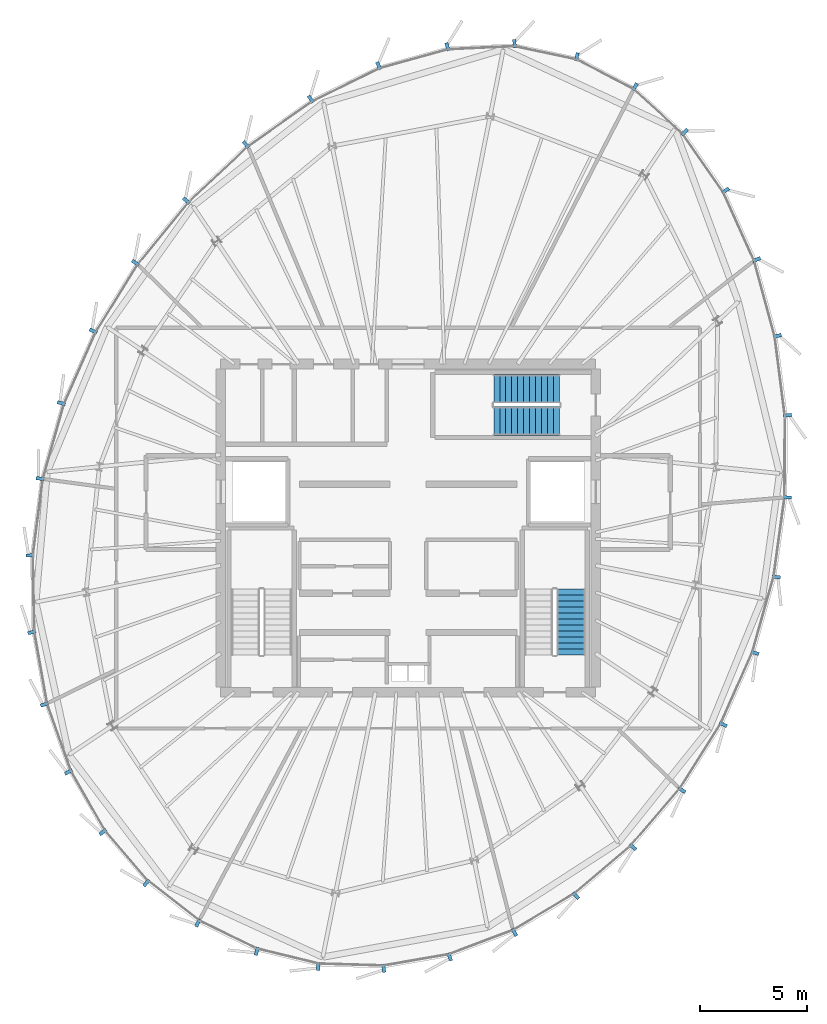
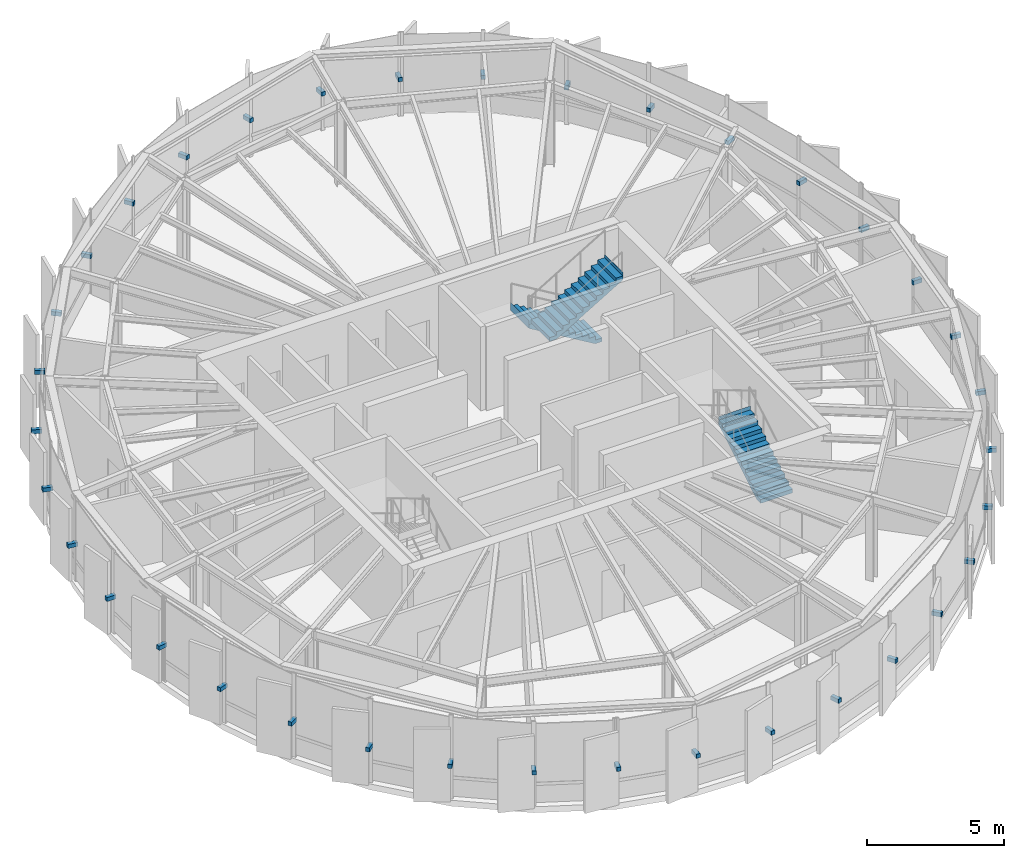
# One storey, part 23 of 26: 36 discrete accessories, 3 stair flights, 2 elements without a shape of their own.
"""IFC4 building model written with IfcOpenShell, lengths in metres."""

from ifc_helpers import new_model, si_unit, direction, frame, origin, origin_2d, place, context, subcontext, project, spatial, polyline, rectangle, outline, extrude, source, transform, mapped, material, type_object, element, aggregate, save


model = new_model("IFC4")

# Units and contexts
model_context = context("Model", 3, precision=1e-05, world=origin(), true_north=direction((0.0, 1.0)))
body_context = subcontext(model_context, "Body", "Model", "MODEL_VIEW")
ifc_project = project(units=[si_unit("LENGTHUNIT", "METRE"), si_unit("AREAUNIT", "SQUARE_METRE"), si_unit("VOLUMEUNIT", "CUBIC_METRE"), si_unit("PLANEANGLEUNIT", "RADIAN"), si_unit("MASSUNIT", "GRAM", prefix="KILO"), si_unit("THERMODYNAMICTEMPERATUREUNIT", "KELVIN")], contexts=[model_context])

# Site, building, storey
site_placement = place(None, origin())
site = spatial("IfcSite", under=ifc_project, at=site_placement, CompositionType="ELEMENT")
building_placement = place(site_placement, origin())
building = spatial("IfcBuilding", under=site, at=building_placement, Name="Kethvar Cultural Tower", CompositionType="ELEMENT")
storey_placement = place(building_placement, frame((0.0, 0.0, 316.300048828125)))
storey = spatial("IfcBuildingStorey", under=building, at=storey_placement, Name="L84", CompositionType="ELEMENT", Elevation=316.300048828125)

# Stair, stair flight
ifc_material_1 = material(Name="Concrete C40/50", Category="concrete")
stair_type = type_object("IfcStairType", Name="ST-DOGLEG-135", PredefinedType="HALF_TURN_STAIR", material=ifc_material_1)
stair_1_placement = place(storey_placement, origin())
stair_1 = element("IfcStair", 1, at=stair_1_placement, inside=storey, type_object=stair_type, Name="L84 Core Exit Stair 2", PredefinedType="HALF_TURN_STAIR")
stair_flight_type = type_object("IfcStairFlightType", Name="FL-STRAIGHT-135", PredefinedType="STRAIGHT", material=ifc_material_1)
stair_flight_1_placement = place(storey_placement, frame((54.43505859375, 21.85009765625, 0.0), z_axis=(0.0, 0.0, 1.0), x_axis=(0.0, 1.0, 0.0)))
stair_flight_1 = element("IfcStairFlight", 2, at=stair_flight_1_placement, type_object=stair_flight_type, Name="ST-02 flight 1", NumberOfRisers=12, NumberOfTreads=11, PredefinedType="STRAIGHT", RiserHeight=0.166666667, TreadLength=0.28, context=body_context, shape_type="SweptSolid", body=[
    extrude(outline(polyline([(-0.0009765625, -0.0009765625), (-0.0009765625, 0.166748046875), (0.280029296875, 0.166748046875), (0.280029296875, 0.333251953125), (0.56005859375, 0.333251953125), (0.56005859375, 0.5), (0.840087890625, 0.5), (0.840087890625, 0.666748046875), (1.1201171875, 0.666748046875), (1.1201171875, 0.833251953125), (1.39990234375, 0.833251953125), (1.39990234375, 1.0), (1.679931640625, 1.0), (1.679931640625, 1.166748046875), (1.9599609375, 1.166748046875), (1.9599609375, 1.333251953125), (2.239990234375, 1.333251953125), (2.239990234375, 1.5), (2.52001953125, 1.5), (2.52001953125, 1.666748046875), (2.800048828125, 1.666748046875), (2.800048828125, 1.833251953125), (3.080078125, 1.833251953125), (3.080078125, 2.0), (3.0810546875, 2.0), (3.0810546875, 1.658935546875), (0.29296875, 0.0), (0.0, -0.0009765625), (-0.0009765625, -0.0009765625)])), frame((0.0, 0.675048828125, 0.0), z_axis=(0.0, -1.0, 0.0), x_axis=(1.0, 0.0, 0.0)), (0.0, 0.0, 1.0), 1.35009765625),
])
aggregate(stair_1, [stair_flight_1])

# Stair, stair flights
stair_2_placement = place(storey_placement, origin())
stair_2 = element("IfcStair", 3, at=stair_2_placement, inside=storey, type_object=stair_type, Name="L84 Core Exit Stair 3", PredefinedType="HALF_TURN_STAIR")
stair_flight_2_placement = place(storey_placement, frame((53.89990234375, 34.3349609375, 0.0), z_axis=(0.0, 0.0, 1.0), x_axis=(-1.0, 0.0, 0.0)))
stair_flight_2 = element("IfcStairFlight", 4, at=stair_flight_2_placement, type_object=stair_flight_type, Name="ST-03 flight 1", NumberOfRisers=12, NumberOfTreads=11, PredefinedType="STRAIGHT", RiserHeight=0.166666667, TreadLength=0.28, context=body_context, shape_type="SweptSolid", body=[
    extrude(outline(polyline([(-0.0009765625, -0.0009765625), (-0.0009765625, 0.166748046875), (0.280029296875, 0.166748046875), (0.280029296875, 0.333251953125), (0.56005859375, 0.333251953125), (0.56005859375, 0.5), (0.840087890625, 0.5), (0.840087890625, 0.666748046875), (1.1201171875, 0.666748046875), (1.1201171875, 0.833251953125), (1.39990234375, 0.833251953125), (1.39990234375, 1.0), (1.679931640625, 1.0), (1.679931640625, 1.166748046875), (1.9599609375, 1.166748046875), (1.9599609375, 1.333251953125), (2.239990234375, 1.333251953125), (2.239990234375, 1.5), (2.52001953125, 1.5), (2.52001953125, 1.666748046875), (2.800048828125, 1.666748046875), (2.800048828125, 1.833251953125), (3.080078125, 1.833251953125), (3.080078125, 2.0), (3.0810546875, 2.0), (3.0810546875, 1.658935546875), (0.29296875, 0.0), (0.0, -0.0009765625), (-0.0009765625, -0.0009765625)])), frame((0.0, 0.675048828125, 0.0), z_axis=(0.0, -1.0, 0.0), x_axis=(1.0, 0.0, 0.0)), (0.0, 0.0, 1.0), 1.35009765625),
])
stair_flight_3_placement = place(storey_placement, frame((50.820068359375, 32.824951171875, 2.0), z_axis=(0.0, 0.0, 1.0), x_axis=(1.0, 0.0, 0.0)))
stair_flight_3 = element("IfcStairFlight", 5, at=stair_flight_3_placement, type_object=stair_flight_type, Name="ST-03 flight 2", NumberOfRisers=12, NumberOfTreads=11, PredefinedType="STRAIGHT", RiserHeight=0.166666667, TreadLength=0.28, context=body_context, shape_type="SweptSolid", body=[
    extrude(outline(polyline([(-0.0009765625, -0.0009765625), (-0.0009765625, 0.166748046875), (0.280029296875, 0.166748046875), (0.280029296875, 0.333251953125), (0.56005859375, 0.333251953125), (0.56005859375, 0.5), (0.840087890625, 0.5), (0.840087890625, 0.666748046875), (1.1201171875, 0.666748046875), (1.1201171875, 0.833251953125), (1.39990234375, 0.833251953125), (1.39990234375, 1.0), (1.679931640625, 1.0), (1.679931640625, 1.166748046875), (1.9599609375, 1.166748046875), (1.9599609375, 1.333251953125), (2.239990234375, 1.333251953125), (2.239990234375, 1.5), (2.52001953125, 1.5), (2.52001953125, 1.666748046875), (2.800048828125, 1.666748046875), (2.800048828125, 1.833251953125), (3.080078125, 1.833251953125), (3.080078125, 2.0), (3.0810546875, 2.0), (3.0810546875, 1.658935546875), (0.29296875, 0.0), (0.0, -0.0009765625), (-0.0009765625, -0.0009765625)])), frame((0.0, 0.675048828125, 0.0), z_axis=(0.0, -1.0, 0.0), x_axis=(1.0, 0.0, 0.0)), (0.0, 0.0, 1.0), 1.35009765625),
])
aggregate(stair_2, [stair_flight_2, stair_flight_3])

# Discrete accessories
ifc_material_2 = material(Name="Steel S355J2", Category="steel")
discrete_accessory_type = type_object("IfcDiscreteAccessoryType", Name="Steel Fin Bracket BRK-01", PredefinedType="BRACKET", material=ifc_material_2)
shared_shape = source(origin(), body_context, "Body", "SweptSolid", [
    extrude(rectangle(XDim=0.3798828125, YDim=0.159912109375, at=origin_2d()), origin(), (0.0, 0.0, 1.0), 0.179931640625),
])
for number, where, z_axis, x_axis, name in (
    (6, (54.718994140625, 49.92333984375, 1.55517578125), (0.0, 0.0, 1.0), (0.208082406612, 0.9781112984, 0.0), "L84 Terracotta Fin Bracket 1.1"),
    (7, (51.79345703125, 50.54541015625, 1.55517578125), (0.0, 0.0, 1.0), (-0.047455126176, 0.998873370853, 0.0), "L84 Terracotta Fin Bracket 1.2"),
    (8, (48.642822265625, 50.3955078125, 1.55517578125), (0.0, 0.0, 1.0), (-0.267070186767, 0.963677080427, 0.0), "L84 Terracotta Fin Bracket 1.3"),
    (9, (45.416015625, 49.50146484375, 1.55517578125), (0.0, 0.0, 1.0), (-0.440566004113, 0.897720221461, 0.0), "L84 Terracotta Fin Bracket 1.4"),
    (10, (42.227294921875, 47.936279296875, 1.55517578125), (0.0, 0.0, 1.0), (-0.575576288125, 0.817748088685, 0.0), "L84 Terracotta Fin Bracket 1.5"),
    (11, (39.19189453125, 45.799560546875, 1.55517578125), (0.0, 0.0, 1.0), (-0.683655992076, 0.729804415237, 0.0), "L84 Terracotta Fin Bracket 1.6"),
    (12, (36.391845703125, 43.1689453125, 1.55517578125), (0.0, 0.0, 1.0), (-0.773619070953, 0.633650955225, 0.0), "L84 Terracotta Fin Bracket 2.1"),
    (13, (34.00244140625, 40.251953125, 1.55517578125), (0.0, 0.0, 1.0), (-0.850352224996, 0.526213923652, 0.0), "L84 Terracotta Fin Bracket 2.2"),
    (14, (32.019287109375, 37.047119140625, 1.55517578125), (0.0, 0.0, 1.0), (-0.914465961539, 0.404662829014, 0.0), "L84 Terracotta Fin Bracket 2.3"),
    (15, (30.5205078125, 33.66015625, 1.55517578125), (0.0, 0.0, 1.0), (-0.962691746426, 0.270600445976, 0.0), "L84 Terracotta Fin Bracket 2.4"),
    (16, (29.52685546875, 30.123291015625, 1.55517578125), (0.0, 0.0, 1.0), (-0.991648668207, 0.128968673884, 0.0), "L84 Terracotta Fin Bracket 2.5"),
    (17, (29.0576171875, 26.51611328125, 1.55517578125), (0.0, 0.0, 1.0), (-0.999808950038, -0.019546442745, 0.0), "L84 Terracotta Fin Bracket 2.6"),
    (18, (29.135009765625, 22.906005859375, 1.55517578125), (0.0, 0.0, 1.0), (-0.984625369118, -0.174679370533, 0.0), "L84 Terracotta Fin Bracket 3.1"),
    (19, (29.734375, 19.526611328125, 1.55517578125), (0.0, 0.0, 1.0), (-0.94234983076, -0.334629341909, 0.0), "L84 Terracotta Fin Bracket 3.2"),
    (20, (30.85986328125, 16.356689453125, 1.55517578125), (0.0, 0.0, 1.0), (-0.868631514438, -0.495458668432, 0.0), "L84 Terracotta Fin Bracket 3.3"),
    (21, (32.469482421875, 13.53466796875, 1.55517578125), (0.0, 0.0, 1.0), (-0.759611947823, -0.65037657455, 0.0), "L84 Terracotta Fin Bracket 3.4"),
    (22, (34.514892578125, 11.145751953125, 1.55517578125), (0.0, 0.0, 1.0), (-0.614285200099, -0.789084084835, 0.0), "L84 Terracotta Fin Bracket 3.5"),
    (23, (36.93359375, 9.26318359375, 1.55517578125), (0.0, 0.0, 1.0), (-0.436644779265, -0.899634001548, 0.0), "L84 Terracotta Fin Bracket 3.6"),
    (24, (39.693603515625, 7.93359375, 1.55517578125), (0.0, 0.0, 1.0), (-0.237007709767, -0.971507769146, 0.0), "L84 Terracotta Fin Bracket 4.1"),
    (25, (42.58837890625, 7.227783203125, 1.55517578125), (0.0, 0.0, 1.0), (-0.029666244085, -0.999559860119, 0.0), "L84 Terracotta Fin Bracket 4.2"),
    (26, (45.652099609375, 7.13720703125, 1.55517578125), (0.0, 0.0, 1.0), (0.17072543418, -0.985318641925, 0.0), "L84 Terracotta Fin Bracket 4.3"),
    (27, (48.75048828125, 7.67431640625, 1.55517578125), (0.0, 0.0, 1.0), (0.353474843779, -0.93544403083, 0.0), "L84 Terracotta Fin Bracket 4.4"),
    (28, (51.78955078125, 8.822998046875, 1.55517578125), (0.0, 0.0, 1.0), (0.512792253721, -0.858512728225, 0.0), "L84 Terracotta Fin Bracket 4.5"),
    (29, (54.677001953125, 10.548095703125, 1.55517578125), (0.0, 0.0, 1.0), (0.647322064787, -0.762216599426, 0.0), "L84 Terracotta Fin Bracket 4.6"),
    (30, (57.3525390625, 12.82958984375, 1.55517578125), (0.0, 0.0, 1.0), (0.75790666473, -0.652363002904, 0.0), "L84 Terracotta Fin Bracket 5.1"),
    (31, (59.653076171875, 15.50244140625, 1.55517578125), (0.0, 0.0, 1.0), (0.846286157694, -0.532728579387, 0.0), "L84 Terracotta Fin Bracket 5.2"),
    (32, (61.591064453125, 18.5810546875, 1.55517578125), (0.0, 0.0, 1.0), (0.914253955234, -0.40514158678, 0.0), "L84 Terracotta Fin Bracket 5.3"),
    (33, (63.079345703125, 21.939697265625, 1.55517578125), (0.0, 0.0, 1.0), (0.962549928407, -0.271104473079, 0.0), "L84 Terracotta Fin Bracket 5.4"),
    (34, (64.08349609375, 25.5048828125, 1.55517578125), (0.0, 0.0, 1.0), (0.990629029058, -0.136580111242, 0.0), "L84 Terracotta Fin Bracket 5.5"),
    (35, (64.597900390625, 29.23828125, 1.55517578125), (0.0, 0.0, 1.0), (0.999988059021, -0.004886902454, 0.0), "L84 Terracotta Fin Bracket 5.6"),
    (36, (64.61083984375, 33.093017578125, 1.55517578125), (0.0, 0.0, 1.0), (0.991960837494, 0.126545236492, 0.0), "L84 Terracotta Fin Bracket 6.1"),
    (37, (64.135009765625, 36.82080078125, 1.55517578125), (0.0, 0.0, 1.0), (0.964741401527, 0.263199597605, 0.0), "L84 Terracotta Fin Bracket 6.2"),
    (38, (63.158203125, 40.402099609375, 1.55517578125), (0.0, 0.0, 1.0), (0.911690345728, 0.410877978854, 0.0), "L84 Terracotta Fin Bracket 6.3"),
    (39, (61.698486328125, 43.640625, 1.55517578125), (0.0, 0.0, 1.0), (0.82005200509, 0.572289008237, 0.0), "L84 Terracotta Fin Bracket 6.4"),
    (40, (59.781494140625, 46.38671875, 1.55517578125), (0.0, 0.0, 1.0), (0.673270652459, 0.739396124237, 0.0), "L84 Terracotta Fin Bracket 6.5"),
    (41, (57.448974609375, 48.510009765625, 1.55517578125), (0.0, 0.0, 1.0), (0.463141356361, 0.886284426145, 0.0), "L84 Terracotta Fin Bracket 6.6"),
):
    element("IfcDiscreteAccessory", number, at=place(storey_placement, frame(where, z_axis=z_axis, x_axis=x_axis)), inside=storey, type_object=discrete_accessory_type, Name=name, PredefinedType="BRACKET", context=body_context, shape_type="MappedRepresentation", body=[
        mapped(shared_shape, transform((0.0, 0.0, 0.0), scale=1.0)),
    ])

save(model, "model.ifc")
